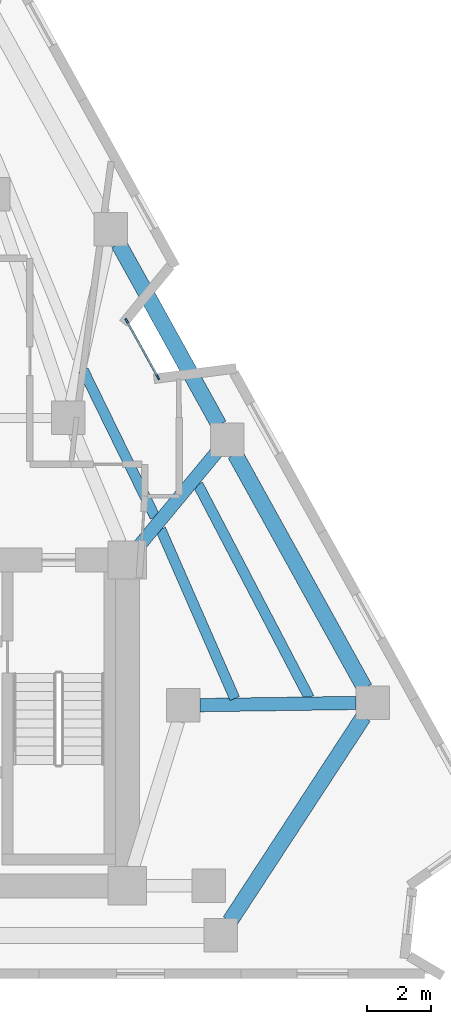
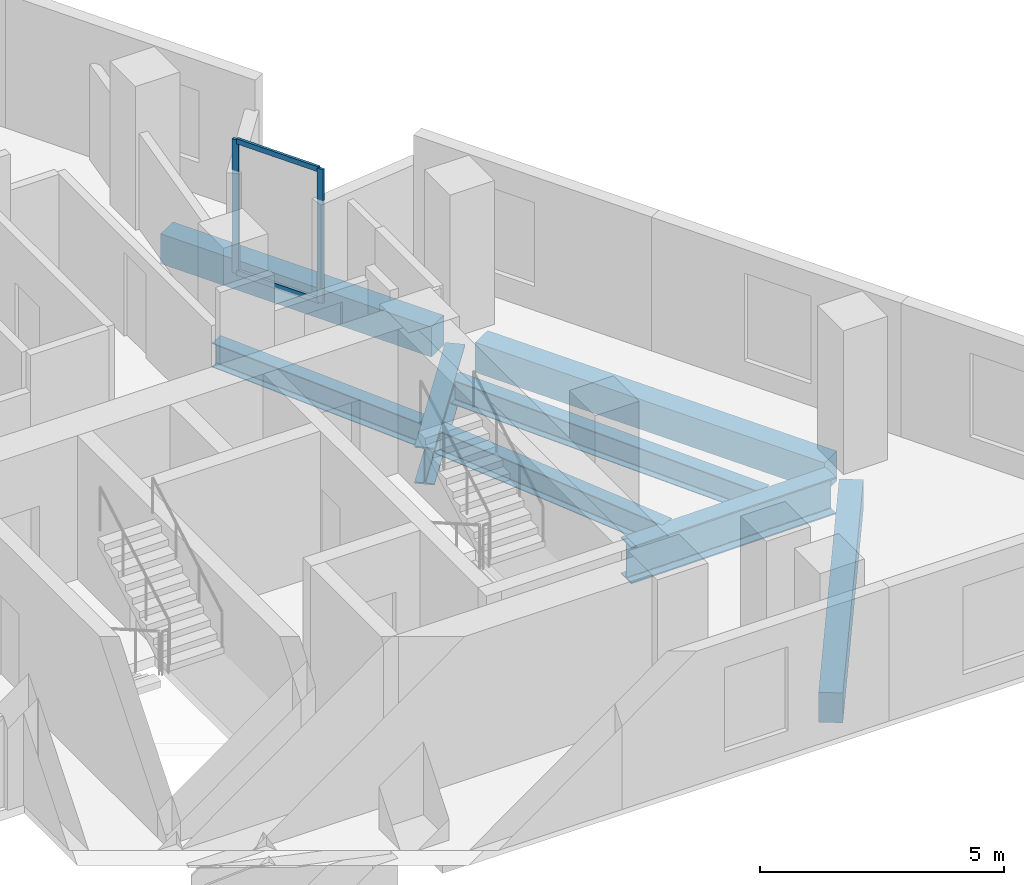
# One storey, part 4 of 10: 8 beams, 4 members, 1 element without a shape of its own.
"""IFC4 building model written with IfcOpenShell, lengths in metres."""

from ifc_helpers import new_model, si_unit, direction, frame, origin, origin_2d, place, context, subcontext, project, spatial, rectangle, i_section, extrude, material, layer, layer_set, material_profile, profile_set, type_object, element, aggregate, save


model = new_model("IFC4")

# Units and contexts
model_context = context("Model", 3, precision=1e-05, world=origin(), true_north=direction((0.0, 1.0)))
body_context = subcontext(model_context, "Body", "Model", "MODEL_VIEW")
ifc_project = project(units=[si_unit("LENGTHUNIT", "METRE"), si_unit("AREAUNIT", "SQUARE_METRE"), si_unit("VOLUMEUNIT", "CUBIC_METRE"), si_unit("PLANEANGLEUNIT", "RADIAN"), si_unit("MASSUNIT", "GRAM", prefix="KILO")], contexts=[model_context])

# Site, building, storey
site_placement = place(None, origin())
site = spatial("IfcSite", under=ifc_project, at=site_placement, CompositionType="ELEMENT")
building_placement = place(site_placement, origin())
building = spatial("IfcBuilding", under=site, at=building_placement, Name="Almagre Mirador Tower", CompositionType="ELEMENT")
storey_placement = place(building_placement, frame((0.0, 0.0, 164.39990234375)))
storey = spatial("IfcBuildingStorey", under=building, at=storey_placement, Name="L42", CompositionType="ELEMENT", Elevation=164.39990234375)

# Beams
ifc_material_1 = material(Name="Steel ASTM A992 Grade 50", Category="steel")
ifc_material_profile_1 = material_profile(ifc_material_1, i_section(OverallWidth=0.323974609375, OverallDepth=0.611083984375, WebThickness=0.0126953125, FlangeThickness=0.01904296875, FilletRadius=0.02001953125, at=origin_2d()), Name="W24X104")
ifc_profile_set_1 = profile_set([ifc_material_profile_1], Name="Steel ASTM A992 Grade 50")
beam_type_1 = type_object("IfcBeamType", Name="BM-JST-W24X104", PredefinedType="JOIST", material=ifc_profile_set_1)
beam_1_placement = place(storey_placement, frame((52.744873046875, 10.44189453125, -0.555419921875), z_axis=(-0.462461864281, 0.886639173557, 0.0), x_axis=(-0.886639173557, -0.462461864281, 0.0)))
element("IfcBeam", 1, at=beam_1_placement, inside=storey, type_object=beam_type_1, Name="L42 secondary floor joist PC05-PC06.1", PredefinedType="JOIST", context=body_context, shape_type="SweptSolid", body=[
    extrude(i_section(OverallWidth=0.323974609375, OverallDepth=0.611083984375, WebThickness=0.0126953125, FlangeThickness=0.01904296875, FilletRadius=0.02001953125, at=origin_2d()), origin(), (0.0, 0.0, 1.0), 7.53125),
])
beam_2_placement = place(storey_placement, frame((50.413330078125, 10.415283203125, -0.555419921875), z_axis=(-0.400714832281, 0.91620282863, 0.0), x_axis=(-0.91620282863, -0.400714832281, 0.0)))
element("IfcBeam", 2, at=beam_2_placement, inside=storey, type_object=beam_type_1, Name="L42 secondary floor joist PC05-PC06.3", PredefinedType="JOIST", context=body_context, shape_type="SweptSolid", body=[
    extrude(i_section(OverallWidth=0.323974609375, OverallDepth=0.611083984375, WebThickness=0.0126953125, FlangeThickness=0.01904296875, FilletRadius=0.02001953125, at=origin_2d()), origin(), (0.0, 0.0, 1.0), 5.7880859375),
])
beam_3_placement = place(storey_placement, frame((47.91845703125, 16.097412109375, -0.555419921875), z_axis=(-0.439128899416, 0.898424070079, 0.0), x_axis=(-0.898424070079, -0.439128899416, 0.0)))
element("IfcBeam", 3, at=beam_3_placement, inside=storey, type_object=beam_type_1, Name="L42 secondary floor joist PC06-PC07.3", PredefinedType="JOIST", context=body_context, shape_type="SweptSolid", body=[
    extrude(i_section(OverallWidth=0.323974609375, OverallDepth=0.611083984375, WebThickness=0.0126953125, FlangeThickness=0.01904296875, FilletRadius=0.02001953125, at=origin_2d()), origin(), (0.0, 0.0, 1.0), 5.12109375),
])
ifc_material_2 = material(Name="Precast concrete C50/60", Category="concrete")
ifc_material_profile_2 = material_profile(ifc_material_2, rectangle(XDim=0.5, YDim=0.75, at=origin_2d()), Name="RC500X750")
ifc_profile_set_2 = profile_set([ifc_material_profile_2], Name="Precast concrete C50/60")
beam_type_2 = type_object("IfcBeamType", Name="BM-SPN-RC500X750", PredefinedType="SPANDREL", material=ifc_profile_set_2)
beam_4_placement = place(storey_placement, frame((50.26318359375, 3.439453125, -0.625), z_axis=(0.546935461459, 0.83717477327, 0.0), x_axis=(-0.83717477327, 0.546935461459, 0.0)))
element("IfcBeam", 4, at=beam_4_placement, inside=storey, type_object=beam_type_2, Name="L42 perimeter spandrel beam PC04-PC05", PredefinedType="SPANDREL", context=body_context, shape_type="SweptSolid", body=[
    extrude(rectangle(XDim=0.5, YDim=0.75, at=origin_2d()), origin(), (0.0, 0.0, 1.0), 7.649658203125),
])
beam_5_placement = place(storey_placement, frame((54.479736328125, 10.742431640625, -0.625), z_axis=(-0.484193045523, 0.874961196092, 0.0), x_axis=(-0.874961196092, -0.484193045523, 0.0)))
element("IfcBeam", 5, at=beam_5_placement, inside=storey, type_object=beam_type_2, Name="L42 perimeter spandrel beam PC05-PC06", PredefinedType="SPANDREL", context=body_context, shape_type="SweptSolid", body=[
    extrude(rectangle(XDim=0.5, YDim=0.75, at=origin_2d()), origin(), (0.0, 0.0, 1.0), 8.36767578125),
])
beam_6_placement = place(storey_placement, frame((49.919921875, 18.982421875, -0.625), z_axis=(-0.484219637984, 0.874946479615, 0.0), x_axis=(-0.874946479615, -0.484219637984, 0.0)))
element("IfcBeam", 6, at=beam_6_placement, inside=storey, type_object=beam_type_2, Name="L42 perimeter spandrel beam PC06-PC07", PredefinedType="SPANDREL", context=body_context, shape_type="SweptSolid", body=[
    extrude(rectangle(XDim=0.5, YDim=0.75, at=origin_2d()), origin(), (0.0, 0.0, 1.0), 6.48388671875),
])
ifc_material_3 = material(Name="Steel ASTM A992 Grade 50", Category="steel")
ifc_material_profile_3 = material_profile(ifc_material_3, i_section(OverallWidth=0.41796875, OverallDepth=0.927001953125, WebThickness=0.019287109375, FlangeThickness=0.031982421875, FilletRadius=0.028076171875, at=origin_2d()), Name="W36X231")
ifc_profile_set_3 = profile_set([ifc_material_profile_3], Name="Steel ASTM A992 Grade 50")
beam_type_3 = type_object("IfcBeamType", Name="BM-STL-W36X231", PredefinedType="BEAM", material=ifc_profile_set_3)
beam_7_placement = place(storey_placement, frame((54.208984375, 10.275634765625, -0.71337890625), z_axis=(-0.999902063371, -0.013995130105, 0.0), x_axis=(0.013995130105, -0.999902063371, 0.0)))
element("IfcBeam", 7, at=beam_7_placement, inside=storey, type_object=beam_type_3, Name="L42 radial floor girder PC05-MC3", PredefinedType="BEAM", context=body_context, shape_type="SweptSolid", body=[
    extrude(i_section(OverallWidth=0.41796875, OverallDepth=0.927001953125, WebThickness=0.019287109375, FlangeThickness=0.031982421875, FilletRadius=0.028076171875, at=origin_2d()), origin(), (0.0, 0.0, 1.0), 4.884521484375),
])
beam_8_placement = place(storey_placement, frame((49.839111328125, 18.11865234375, -0.71337890625), z_axis=(-0.637743806267, -0.770248555707, 0.0), x_axis=(0.770248555707, -0.637743806267, 0.0)))
element("IfcBeam", 8, at=beam_8_placement, inside=storey, type_object=beam_type_3, Name="L42 radial floor girder PC06-CC6", PredefinedType="BEAM", context=body_context, shape_type="SweptSolid", body=[
    extrude(i_section(OverallWidth=0.41796875, OverallDepth=0.927001953125, WebThickness=0.019287109375, FlangeThickness=0.031982421875, FilletRadius=0.028076171875, at=origin_2d()), origin(), (0.0, 0.0, 1.0), 3.7734375),
])

# Curtain wall, members
ifc_material_4 = material(Name="Black anodized aluminium", Category="aluminium")
ifc_layer = layer(ifc_material_4, 0.169921875)
ifc_layer_set = layer_set([ifc_layer], Name="Black anodized aluminium")
curtain_wall_type = type_object("IfcCurtainWallType", Name="CW-CRS-SYS", PredefinedType="NOTDEFINED", material=ifc_layer_set)
curtain_wall_placement = place(storey_placement, origin())
curtain_wall = element("IfcCurtainWall", 9, at=curtain_wall_placement, inside=storey, type_object=curtain_wall_type, Name="L42 vertical crease curtain wall 03", PredefinedType="NOTDEFINED")
ifc_material_5 = material(Name="Black anodized aluminium", Category="aluminium")
ifc_material_profile_4 = material_profile(ifc_material_5, rectangle(XDim=0.06005859375, YDim=0.14990234375, at=origin_2d()), Name="CWM60X150")
ifc_profile_set_4 = profile_set([ifc_material_profile_4], Name="Black anodized aluminium")
member_type_1 = type_object("IfcMemberType", Name="MBR-CWM60X150", PredefinedType="MULLION", material=ifc_profile_set_4)
member_1_placement = place(storey_placement, frame((47.027587890625, 22.246826171875, 0.0), z_axis=(0.0, 0.0, 1.0), x_axis=(0.874878722341, 0.48434204979, 0.0)))
member_1 = element("IfcMember", 10, at=member_1_placement, type_object=member_type_1, Name="CW-4 mullion 1", PredefinedType="MULLION", context=body_context, shape_type="SweptSolid", body=[
    extrude(rectangle(XDim=0.06005859375, YDim=0.14990234375, at=origin_2d()), origin(), (0.0, 0.0, 1.0), 3.35009765625),
])
member_2_placement = place(storey_placement, frame((48.010498046875, 20.47119140625, 0.0), z_axis=(0.0, 0.0, 1.0), x_axis=(0.874878722341, 0.48434204979, 0.0)))
member_2 = element("IfcMember", 11, at=member_2_placement, type_object=member_type_1, Name="CW-4 mullion 2", PredefinedType="MULLION", context=body_context, shape_type="SweptSolid", body=[
    extrude(rectangle(XDim=0.06005859375, YDim=0.14990234375, at=origin_2d()), origin(), (0.0, 0.0, 1.0), 3.35009765625),
])
ifc_material_6 = material(Name="Black anodized aluminium", Category="aluminium")
ifc_material_profile_5 = material_profile(ifc_material_6, rectangle(XDim=0.06005859375, YDim=0.1298828125, at=origin_2d()), Name="CWT60X130")
ifc_profile_set_5 = profile_set([ifc_material_profile_5], Name="Black anodized aluminium")
member_type_2 = type_object("IfcMemberType", Name="MBR-CWT60X130", PredefinedType="USERDEFINED", material=ifc_profile_set_5)
member_3_placement = place(storey_placement, frame((47.0419921875, 22.220458984375, 0.030029296875), z_axis=(0.484358245317, -0.874869756131, 0.0), x_axis=(0.874869756131, 0.484358245317, 0.0)))
member_3 = element("IfcMember", 12, at=member_3_placement, type_object=member_type_2, Name="CW-4 transom 1.1", ObjectType="TRANSOM", PredefinedType="USERDEFINED", context=body_context, shape_type="SweptSolid", body=[
    extrude(rectangle(XDim=0.06005859375, YDim=0.1298828125, at=origin_2d()), origin(), (0.0, 0.0, 1.0), 1.96923828125),
])
member_4_placement = place(storey_placement, frame((47.0419921875, 22.220458984375, 3.320068359375), z_axis=(0.484358245317, -0.874869756131, 0.0), x_axis=(0.874869756131, 0.484358245317, 0.0)))
member_4 = element("IfcMember", 13, at=member_4_placement, type_object=member_type_2, Name="CW-4 transom 1.2", ObjectType="TRANSOM", PredefinedType="USERDEFINED", context=body_context, shape_type="SweptSolid", body=[
    extrude(rectangle(XDim=0.06005859375, YDim=0.1298828125, at=origin_2d()), origin(), (0.0, 0.0, 1.0), 1.96923828125),
])
aggregate(curtain_wall, [member_1, member_2, member_3, member_4])

save(model, "model.ifc")
